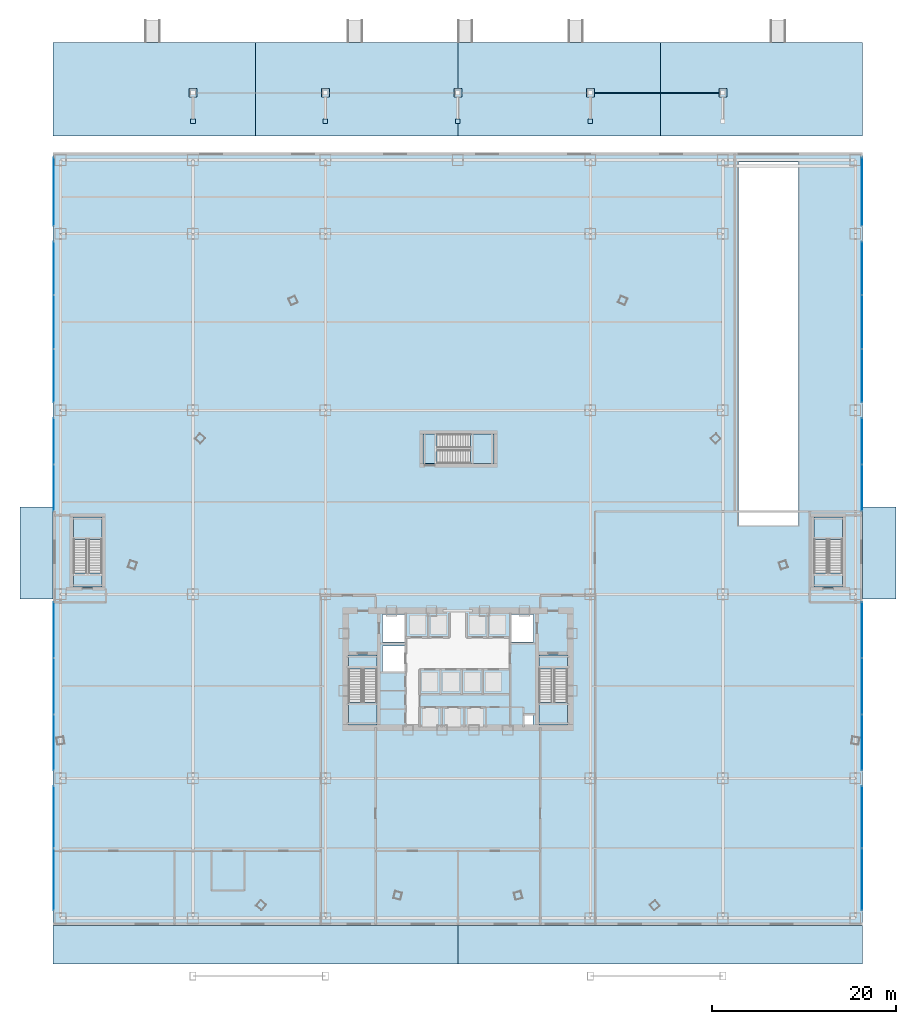
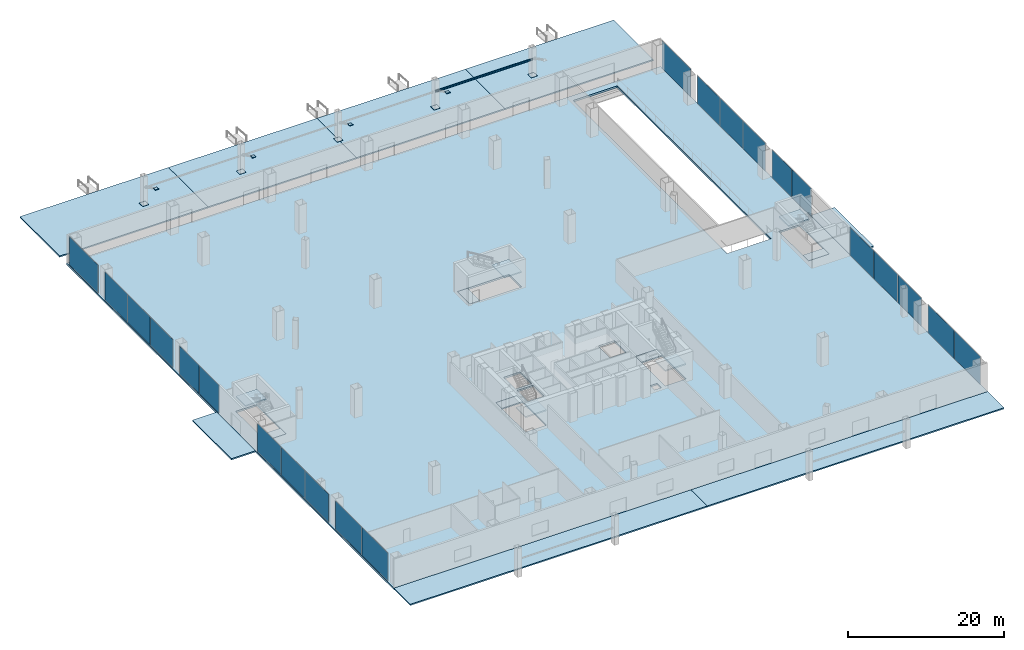
# One storey, part 46 of 58: 31 plates, 19 slabs, 1 beam, 15 elements without a shape of their own.
"""IFC4 building model written with IfcOpenShell, lengths in metres."""

from ifc_helpers import new_model, si_unit, direction, frame, origin, origin_2d, place, context, subcontext, project, spatial, polyline, rectangle, i_section, outline, extrude, source, transform, mapped, material, layer, layer_set, material_profile, profile_set, type_object, element, aggregate, save


model = new_model("IFC4")

# Units and contexts
model_context = context("Model", 3, precision=1e-05, world=origin(), true_north=direction((0.0, 1.0)))
body_context = subcontext(model_context, "Body", "Model", "MODEL_VIEW")
ifc_project = project(units=[si_unit("LENGTHUNIT", "METRE"), si_unit("AREAUNIT", "SQUARE_METRE"), si_unit("VOLUMEUNIT", "CUBIC_METRE"), si_unit("PLANEANGLEUNIT", "RADIAN"), si_unit("MASSUNIT", "GRAM", prefix="KILO"), si_unit("THERMODYNAMICTEMPERATUREUNIT", "KELVIN"), si_unit("POWERUNIT", "WATT")], contexts=[model_context])

# Site, building, storey
site_placement = place(None, origin())
site = spatial("IfcSite", under=ifc_project, at=site_placement, CompositionType="ELEMENT")
building_placement = place(site_placement, origin())
building = spatial("IfcBuilding", under=site, at=building_placement, Name="Yunzhuo Pagoda Commons", CompositionType="ELEMENT")
storey_placement = place(building_placement, origin())
storey = spatial("IfcBuildingStorey", under=building, at=storey_placement, Name="L01", CompositionType="ELEMENT", Elevation=0.0)

# Beam
ifc_material_1 = material(Name="Structural steel Q355B", Category="steel")
ifc_material_profile = material_profile(ifc_material_1, i_section(OverallWidth=0.125, OverallDepth=0.25, WebThickness=0.006103515625, FlangeThickness=0.009033203125, at=origin_2d()), Name="Structural steel Q355B")
ifc_profile_set = profile_set([ifc_material_profile], Name="Structural steel Q355B")
beam_type = type_object("IfcBeamType", Name="B-LN1 Lintel HN 250x125x6x9", PredefinedType="LINTEL", material=ifc_profile_set)
shared_shape_1 = source(origin(), body_context, "Body", "SweptSolid", [
    extrude(i_section(OverallWidth=0.125, OverallDepth=0.25, WebThickness=0.006103515625, FlangeThickness=0.009033203125, at=origin_2d()), origin(), (0.0, 0.0, 1.0), 14.400146484375),
])
beam_placement = place(storey_placement, frame((62.39990234375, 96.5, 2.52490234375), z_axis=(1.0, 0.0, 0.0), x_axis=(0.0, 1.0, 0.0)))
element("IfcBeam", 1, at=beam_placement, inside=storey, type_object=beam_type, Name="Colonnade transom lintel N4", PredefinedType="LINTEL", context=body_context, shape_type="MappedRepresentation", body=[
    mapped(shared_shape_1, transform((0.0, 0.0, 0.0), scale=1.0)),
])

# Stair, slabs
ifc_material_2 = material(Name="Concrete C40", Category="concrete")
stair_type_1 = type_object("IfcStairType", Name="ST-C1 Core Smokeproof Stair ST1", PredefinedType="HALF_TURN_STAIR", material=ifc_material_2)
stair_1_placement = place(storey_placement, origin())
stair_1 = element("IfcStair", 2, at=stair_1_placement, inside=storey, type_object=stair_type_1, Name="L01 Core smokeproof stair ST1", PredefinedType="HALF_TURN_STAIR")
ifc_layer_1 = layer(ifc_material_2, 0.199951171875)
ifc_layer_set_1 = layer_set([ifc_layer_1], Name="Concrete C40")
slab_type_1 = type_object("IfcSlabType", Name="SL-LND1 Stair Landing Slab 200", PredefinedType="LANDING", material=ifc_layer_set_1)
slab_1_placement = place(storey_placement, frame((0.0, 0.0, 2.199951171875)))
slab_1 = element("IfcSlab", 3, at=slab_1_placement, type_object=slab_type_1, Name="ST1 landing 1", PredefinedType="LANDING", context=body_context, shape_type="SweptSolid", body=[
    extrude(outline(polyline([(36.10009765625, 30.260009765625), (36.10009765625, 27.800048828125), (39.199951171875, 27.800048828125), (39.199951171875, 30.260009765625), (36.10009765625, 30.260009765625)])), origin(), (0.0, 0.0, 1.0), 0.199951171875),
])
slab_2_placement = place(storey_placement, frame((0.0, 0.0, -0.199951171875)))
slab_2 = element("IfcSlab", 4, at=slab_2_placement, type_object=slab_type_1, Name="ST1 floor landing L01", PredefinedType="LANDING", context=body_context, shape_type="SweptSolid", body=[
    extrude(outline(polyline([(36.10009765625, 35.39990234375), (36.10009765625, 33.89990234375), (39.199951171875, 33.89990234375), (39.199951171875, 35.39990234375), (36.10009765625, 35.39990234375)])), origin(), (0.0, 0.0, 1.0), 0.199951171875),
])
aggregate(stair_1, [slab_1, slab_2])

stair_type_2 = type_object("IfcStairType", Name="ST-C2 Core Smokeproof Stair ST2", PredefinedType="HALF_TURN_STAIR", material=ifc_material_2)
stair_2_placement = place(storey_placement, origin())
stair_2 = element("IfcStair", 5, at=stair_2_placement, inside=storey, type_object=stair_type_2, Name="L01 Core smokeproof stair ST2", PredefinedType="HALF_TURN_STAIR")
ifc_layer_2 = layer(ifc_material_2, 0.201904296875)
ifc_layer_set_2 = layer_set([ifc_layer_2], Name="Concrete C40")
slab_type_2 = type_object("IfcSlabType", Name="SL-LND2 Stair Landing Slab 202", PredefinedType="LANDING", material=ifc_layer_set_2)
slab_3_placement = place(storey_placement, frame((0.0, 0.0, 2.199951171875)))
slab_3 = element("IfcSlab", 6, at=slab_3_placement, type_object=slab_type_2, Name="ST2 landing 1", PredefinedType="LANDING", context=body_context, shape_type="SweptSolid", body=[
    extrude(outline(polyline([(56.800048828125, 30.260009765625), (56.800048828125, 27.800048828125), (59.89990234375, 27.800048828125), (59.89990234375, 30.260009765625), (56.800048828125, 30.260009765625)])), origin(), (0.0, 0.0, 1.0), 0.199951171875),
])
slab_4_placement = place(storey_placement, frame((0.0, 0.0, -0.199951171875)))
slab_4 = element("IfcSlab", 7, at=slab_4_placement, type_object=slab_type_2, Name="ST2 floor landing L01", PredefinedType="LANDING", context=body_context, shape_type="SweptSolid", body=[
    extrude(outline(polyline([(56.800048828125, 35.39990234375), (56.800048828125, 33.89990234375), (59.89990234375, 33.89990234375), (59.89990234375, 35.39990234375), (56.800048828125, 35.39990234375)])), origin(), (0.0, 0.0, 1.0), 0.199951171875),
])
aggregate(stair_2, [slab_3, slab_4])

stair_type_3 = type_object("IfcStairType", Name="ST-P3 Podium Exit Stair PS3", PredefinedType="HALF_TURN_STAIR", material=ifc_material_2)
stair_3_placement = place(storey_placement, origin())
stair_3 = element("IfcStair", 8, at=stair_3_placement, inside=storey, type_object=stair_type_3, Name="L01 Podium exit stair PS3", PredefinedType="HALF_TURN_STAIR")
ifc_layer_3 = layer(ifc_material_2, 0.2060546875)
ifc_layer_set_3 = layer_set([ifc_layer_3], Name="Concrete C40")
slab_type_3 = type_object("IfcSlabType", Name="SL-LND3 Podium Landing Slab 206", PredefinedType="LANDING", material=ifc_layer_set_3)
slab_5_placement = place(storey_placement, frame((0.0, 0.0, 2.199951171875)))
slab_5 = element("IfcSlab", 9, at=slab_5_placement, type_object=slab_type_3, Name="PS3 landing 1", PredefinedType="LANDING", context=body_context, shape_type="SweptSolid", body=[
    extrude(outline(polyline([(9.300048828125, 47.93994140625), (9.300048828125, 50.39990234375), (6.199951171875, 50.39990234375), (6.199951171875, 47.93994140625), (9.300048828125, 47.93994140625)])), origin(), (0.0, 0.0, 1.0), 0.199951171875),
])
slab_6_placement = place(storey_placement, frame((0.0, 0.0, -0.199951171875)))
slab_6 = element("IfcSlab", 10, at=slab_6_placement, type_object=slab_type_3, Name="PS3 floor landing L01", PredefinedType="LANDING", context=body_context, shape_type="SweptSolid", body=[
    extrude(outline(polyline([(9.300048828125, 42.800048828125), (9.300048828125, 44.300048828125), (6.199951171875, 44.300048828125), (6.199951171875, 42.800048828125), (9.300048828125, 42.800048828125)])), origin(), (0.0, 0.0, 1.0), 0.199951171875),
])
aggregate(stair_3, [slab_5, slab_6])

stair_type_4 = type_object("IfcStairType", Name="ST-P4 Podium Exit Stair PS4", PredefinedType="HALF_TURN_STAIR", material=ifc_material_2)
stair_4_placement = place(storey_placement, origin())
stair_4 = element("IfcStair", 11, at=stair_4_placement, inside=storey, type_object=stair_type_4, Name="L01 Podium exit stair PS4", PredefinedType="HALF_TURN_STAIR")
ifc_layer_4 = layer(ifc_material_2, 0.2080078125)
ifc_layer_set_4 = layer_set([ifc_layer_4], Name="Concrete C40")
slab_type_4 = type_object("IfcSlabType", Name="SL-LND4 Podium Landing Slab 208", PredefinedType="LANDING", material=ifc_layer_set_4)
slab_7_placement = place(storey_placement, frame((0.0, 0.0, 2.199951171875)))
slab_7 = element("IfcSlab", 12, at=slab_7_placement, type_object=slab_type_4, Name="PS4 landing 1", PredefinedType="LANDING", context=body_context, shape_type="SweptSolid", body=[
    extrude(outline(polyline([(89.800048828125, 47.93994140625), (89.800048828125, 50.39990234375), (86.699951171875, 50.39990234375), (86.699951171875, 47.93994140625), (89.800048828125, 47.93994140625)])), origin(), (0.0, 0.0, 1.0), 0.199951171875),
])
slab_8_placement = place(storey_placement, frame((0.0, 0.0, -0.199951171875)))
slab_8 = element("IfcSlab", 13, at=slab_8_placement, type_object=slab_type_4, Name="PS4 floor landing L01", PredefinedType="LANDING", context=body_context, shape_type="SweptSolid", body=[
    extrude(outline(polyline([(89.800048828125, 42.800048828125), (89.800048828125, 44.300048828125), (86.699951171875, 44.300048828125), (86.699951171875, 42.800048828125), (89.800048828125, 42.800048828125)])), origin(), (0.0, 0.0, 1.0), 0.199951171875),
])
aggregate(stair_4, [slab_7, slab_8])

stair_type_5 = type_object("IfcStairType", Name="ST-C3 North Tower Smokeproof Stair ST3", PredefinedType="HALF_TURN_STAIR", material=ifc_material_2)
stair_5_placement = place(storey_placement, origin())
stair_5 = element("IfcStair", 14, at=stair_5_placement, inside=storey, type_object=stair_type_5, Name="L01 North tower smokeproof stair ST3", PredefinedType="HALF_TURN_STAIR")
ifc_layer_5 = layer(ifc_material_2, 0.2041015625)
ifc_layer_set_5 = layer_set([ifc_layer_5], Name="Concrete C40")
slab_type_5 = type_object("IfcSlabType", Name="SL-LND5 North Landing Slab 204", PredefinedType="LANDING", material=ifc_layer_set_5)
slab_9_placement = place(storey_placement, frame((0.0, 0.0, 2.199951171875)))
slab_9 = element("IfcSlab", 15, at=slab_9_placement, type_object=slab_type_5, Name="ST3 landing 1", PredefinedType="LANDING", context=body_context, shape_type="SweptSolid", body=[
    extrude(outline(polyline([(49.389892578125, 56.199951171875), (51.89990234375, 56.199951171875), (51.89990234375, 59.39990234375), (49.389892578125, 59.39990234375), (49.389892578125, 56.199951171875)])), origin(), (0.0, 0.0, 1.0), 0.199951171875),
])
slab_10_placement = place(storey_placement, frame((0.0, 0.0, -0.199951171875)))
slab_10 = element("IfcSlab", 16, at=slab_10_placement, type_object=slab_type_5, Name="ST3 floor landing L01", PredefinedType="LANDING", context=body_context, shape_type="SweptSolid", body=[
    extrude(outline(polyline([(44.199951171875, 56.199951171875), (45.75, 56.199951171875), (45.75, 59.39990234375), (44.199951171875, 59.39990234375), (44.199951171875, 56.199951171875)])), origin(), (0.0, 0.0, 1.0), 0.199951171875),
])
aggregate(stair_5, [slab_9, slab_10])

# Slabs
ifc_material_3 = material(Name="Granite stone on Concrete C40", Category="masonry")
ifc_layer_6 = layer(ifc_material_3, 0.199951171875)
ifc_layer_set_6 = layer_set([ifc_layer_6], Name="Granite stone on Concrete C40")
slab_type_6 = type_object("IfcSlabType", Name="SL-PAV Waterfront Promenade Paving 200", PredefinedType="USERDEFINED", material=ifc_layer_set_6)
slab_11_placement = place(storey_placement, frame((0.0, 0.0, -0.199951171875)))
element("IfcSlab", 17, at=slab_11_placement, inside=storey, type_object=slab_type_6, Name="Waterfront promenade plaza paving N1", ObjectType="PAVING", PredefinedType="USERDEFINED", context=body_context, shape_type="SweptSolid", body=[
    extrude(outline(polyline([(4.0, 91.800048828125), (26.0, 91.800048828125), (26.0, 102.0), (4.0, 102.0), (4.0, 91.800048828125)])), origin(), (0.0, 0.0, 1.0), 0.199951171875),
])
slab_12_placement = place(storey_placement, frame((0.0, 0.0, -0.199951171875)))
element("IfcSlab", 18, at=slab_12_placement, inside=storey, type_object=slab_type_6, Name="Waterfront promenade plaza paving N2", ObjectType="PAVING", PredefinedType="USERDEFINED", context=body_context, shape_type="SweptSolid", body=[
    extrude(outline(polyline([(26.0, 91.800048828125), (48.0, 91.800048828125), (48.0, 102.0), (26.0, 102.0), (26.0, 91.800048828125)])), origin(), (0.0, 0.0, 1.0), 0.199951171875),
])
slab_13_placement = place(storey_placement, frame((0.0, 0.0, -0.199951171875)))
element("IfcSlab", 19, at=slab_13_placement, inside=storey, type_object=slab_type_6, Name="Waterfront promenade plaza paving N3", ObjectType="PAVING", PredefinedType="USERDEFINED", context=body_context, shape_type="SweptSolid", body=[
    extrude(outline(polyline([(48.0, 91.800048828125), (70.0, 91.800048828125), (70.0, 102.0), (48.0, 102.0), (48.0, 91.800048828125)])), origin(), (0.0, 0.0, 1.0), 0.199951171875),
])
slab_14_placement = place(storey_placement, frame((0.0, 0.0, -0.199951171875)))
element("IfcSlab", 20, at=slab_14_placement, inside=storey, type_object=slab_type_6, Name="Waterfront promenade plaza paving N4", ObjectType="PAVING", PredefinedType="USERDEFINED", context=body_context, shape_type="SweptSolid", body=[
    extrude(outline(polyline([(70.0, 91.800048828125), (92.0, 91.800048828125), (92.0, 102.0), (70.0, 102.0), (70.0, 91.800048828125)])), origin(), (0.0, 0.0, 1.0), 0.199951171875),
])
slab_15_placement = place(storey_placement, frame((0.0, 0.0, -0.199951171875)))
element("IfcSlab", 21, at=slab_15_placement, inside=storey, type_object=slab_type_6, Name="South entrance forecourt paving S1", ObjectType="PAVING", PredefinedType="USERDEFINED", context=body_context, shape_type="SweptSolid", body=[
    extrude(outline(polyline([(4.0, 1.800048828125), (48.0, 1.800048828125), (48.0, 6.0), (4.0, 6.0), (4.0, 1.800048828125)])), origin(), (0.0, 0.0, 1.0), 0.199951171875),
])
slab_16_placement = place(storey_placement, frame((0.0, 0.0, -0.199951171875)))
element("IfcSlab", 22, at=slab_16_placement, inside=storey, type_object=slab_type_6, Name="South entrance forecourt paving S2", ObjectType="PAVING", PredefinedType="USERDEFINED", context=body_context, shape_type="SweptSolid", body=[
    extrude(outline(polyline([(48.0, 1.800048828125), (92.0, 1.800048828125), (92.0, 6.0), (48.0, 6.0), (48.0, 1.800048828125)])), origin(), (0.0, 0.0, 1.0), 0.199951171875),
])
slab_17_placement = place(storey_placement, frame((0.0, 0.0, -0.199951171875)))
element("IfcSlab", 23, at=slab_17_placement, inside=storey, type_object=slab_type_6, Name="W stair exit plaza paving", ObjectType="PAVING", PredefinedType="USERDEFINED", context=body_context, shape_type="SweptSolid", body=[
    extrude(outline(polyline([(0.39990234375, 41.5), (4.0, 41.5), (4.0, 51.5), (0.39990234375, 51.5), (0.39990234375, 41.5)])), origin(), (0.0, 0.0, 1.0), 0.199951171875),
])
slab_18_placement = place(storey_placement, frame((0.0, 0.0, -0.199951171875)))
element("IfcSlab", 24, at=slab_18_placement, inside=storey, type_object=slab_type_6, Name="E stair exit plaza paving", ObjectType="PAVING", PredefinedType="USERDEFINED", context=body_context, shape_type="SweptSolid", body=[
    extrude(outline(polyline([(92.0, 41.5), (95.60009765625, 41.5), (95.60009765625, 51.5), (92.0, 51.5), (92.0, 41.5)])), origin(), (0.0, 0.0, 1.0), 0.199951171875),
])
ifc_layer_7 = layer(ifc_material_2, 0.280029296875)
ifc_layer_set_7 = layer_set([ifc_layer_7], Name="Concrete C40")
slab_type_7 = type_object("IfcSlabType", Name="SL-POD Podium & Refuge Floor Slab 280", PredefinedType="FLOOR", material=ifc_layer_set_7)
slab_19_placement = place(storey_placement, frame((0.0, 0.0, -0.280029296875)))
element("IfcSlab", 25, at=slab_19_placement, inside=storey, type_object=slab_type_7, Name="L01 structural floor slab", PredefinedType="FLOOR", context=body_context, shape_type="SweptSolid", body=[
    extrude(outline(polyline([(4.0, 90.0), (92.0, 90.0), (92.0, 6.0), (4.0, 6.0), (4.0, 90.0)]), holes=[polyline([(56.179931640625, 28.800048828125), (55.179931640625, 28.800048828125), (55.179931640625, 27.699951171875), (56.179931640625, 27.699951171875), (56.179931640625, 28.800048828125)]), polyline([(39.199951171875, 27.800048828125), (39.199951171875, 35.39990234375), (36.10009765625, 35.39990234375), (36.10009765625, 27.800048828125), (39.199951171875, 27.800048828125)]), polyline([(59.89990234375, 27.800048828125), (59.89990234375, 35.39990234375), (56.800048828125, 35.39990234375), (56.800048828125, 27.800048828125), (59.89990234375, 27.800048828125)]), polyline([(42.199951171875, 33.60009765625), (42.199951171875, 36.39990234375), (39.800048828125, 36.39990234375), (39.800048828125, 33.60009765625), (42.199951171875, 33.60009765625)]), polyline([(42.199951171875, 36.800048828125), (42.199951171875, 39.800048828125), (39.800048828125, 39.800048828125), (39.800048828125, 36.800048828125), (42.199951171875, 36.800048828125)]), polyline([(56.199951171875, 39.800048828125), (53.800048828125, 39.800048828125), (53.800048828125, 36.800048828125), (56.199951171875, 36.800048828125), (56.199951171875, 39.800048828125)]), polyline([(6.199951171875, 50.39990234375), (6.199951171875, 42.800048828125), (9.300048828125, 42.800048828125), (9.300048828125, 50.39990234375), (6.199951171875, 50.39990234375)]), polyline([(86.699951171875, 50.39990234375), (86.699951171875, 42.800048828125), (89.800048828125, 42.800048828125), (89.800048828125, 50.39990234375), (86.699951171875, 50.39990234375)]), polyline([(51.89990234375, 56.199951171875), (51.89990234375, 59.39990234375), (44.199951171875, 59.39990234375), (44.199951171875, 56.199951171875), (51.89990234375, 56.199951171875)]), polyline([(85.0, 49.5), (85.0, 89.0), (78.5, 89.0), (78.5, 49.5), (85.0, 49.5)])]), origin(), (0.0, 0.0, 1.0), 0.280029296875),
])

# Plates
ifc_layer_8 = layer(ifc_material_1, 0.0400390625)
ifc_layer_set_8 = layer_set([ifc_layer_8], Name="Structural steel Q355B")
plate_type_1 = type_object("IfcPlateType", Name="BP-C1 Canopy Base Plate 900x900x40", PredefinedType="USERDEFINED", material=ifc_layer_set_8)
shared_shape_2 = source(origin(), body_context, "Body", "SweptSolid", [
    extrude(rectangle(XDim=0.89990234375, YDim=0.89990234375, at=origin_2d()), origin(), (0.0, 0.0, 1.0), 0.0400390625),
])
for number, where, z_axis, x_axis, name in (
    (26, (19.199951171875, 96.5, -0.02001953125), (0.0, 0.0, 1.0), (1.0, 0.0, 0.0), "Canopy column base plate N1"),
    (27, (33.60009765625, 96.5, -0.02001953125), (0.0, 0.0, 1.0), (1.0, 0.0, 0.0), "Canopy column base plate N2"),
    (28, (48.0, 96.5, -0.02001953125), (0.0, 0.0, 1.0), (1.0, 0.0, 0.0), "Canopy column base plate N3"),
    (29, (62.39990234375, 96.5, -0.02001953125), (0.0, 0.0, 1.0), (1.0, 0.0, 0.0), "Canopy column base plate N4"),
    (30, (76.800048828125, 96.5, -0.02001953125), (0.0, 0.0, 1.0), (1.0, 0.0, 0.0), "Canopy column base plate N5"),
):
    element("IfcPlate", number, at=place(storey_placement, frame(where, z_axis=z_axis, x_axis=x_axis)), inside=storey, type_object=plate_type_1, Name=name, ObjectType="BASE_PLATE", PredefinedType="USERDEFINED", context=body_context, shape_type="MappedRepresentation", body=[
        mapped(shared_shape_2, transform((0.0, 0.0, 0.0), scale=1.0)),
    ])
ifc_layer_9 = layer(ifc_material_1, 0.028076171875)
ifc_layer_set_9 = layer_set([ifc_layer_9], Name="Structural steel Q355B")
plate_type_2 = type_object("IfcPlateType", Name="SP-ND1 Lattice Node Cap Plate 800x500x28", PredefinedType="USERDEFINED", material=ifc_layer_set_9)
shared_shape_3 = source(origin(), body_context, "Body", "SweptSolid", [
    extrude(rectangle(XDim=0.5, YDim=0.5, at=origin_2d()), origin(), (0.0, 0.0, 1.0), 0.028076171875),
])
for number, where, z_axis, x_axis, name in (
    (31, (19.199951171875, 93.39990234375, 4.26611328125), (0.0, 0.0, 1.0), (1.0, 0.0, 0.0), "Canopy strut girder gusset plate N1B"),
    (32, (33.60009765625, 93.39990234375, 4.26611328125), (0.0, 0.0, 1.0), (1.0, 0.0, 0.0), "Canopy strut girder gusset plate N2B"),
    (33, (48.0, 93.39990234375, 4.26611328125), (0.0, 0.0, 1.0), (1.0, 0.0, 0.0), "Canopy strut girder gusset plate N3B"),
    (34, (62.39990234375, 93.39990234375, 4.26611328125), (0.0, 0.0, 1.0), (1.0, 0.0, 0.0), "Canopy strut girder gusset plate N4B"),
):
    element("IfcPlate", number, at=place(storey_placement, frame(where, z_axis=z_axis, x_axis=x_axis)), inside=storey, type_object=plate_type_2, Name=name, ObjectType="STIFFENER_PLATE", PredefinedType="USERDEFINED", context=body_context, shape_type="MappedRepresentation", body=[
        mapped(shared_shape_3, transform((0.0, 0.0, 0.0), scale=1.0)),
    ])

# Curtain wall, plates
ifc_material_4 = material(Name="Anodized aluminium 6063-T6", Category="aluminium")
ifc_layer_10 = layer(ifc_material_4, 0.179931640625)
ifc_layer_set_10 = layer_set([ifc_layer_10], Name="Anodized aluminium 6063-T6")
curtain_wall_type = type_object("IfcCurtainWallType", Name="CW-POD Waterfront Podium Curtain Wall", PredefinedType="NOTDEFINED", material=ifc_layer_set_10)
curtain_wall_1_placement = place(storey_placement, origin())
curtain_wall_1 = element("IfcCurtainWall", 35, at=curtain_wall_1_placement, inside=storey, type_object=curtain_wall_type, Name="L01 curtain wall CW-L01-W1", PredefinedType="NOTDEFINED")
ifc_material_5 = material(Name="Tempered low-e double glazing", Category="glass")
ifc_layer_11 = layer(ifc_material_5, 0.031982421875)
ifc_layer_set_11 = layer_set([ifc_layer_11], Name="Tempered low-e double glazing")
plate_type_3 = type_object("IfcPlateType", Name="CW-POD-P Low-E Double Glazing 32", PredefinedType="CURTAIN_PANEL", material=ifc_layer_set_11)
shared_shape_4 = source(origin(), body_context, "Body", "SweptSolid", [
    extrude(rectangle(XDim=6.702392578125, YDim=0.028076171875, at=origin_2d()), origin(), (0.0, 0.0, 1.0), 4.39990234375),
])
plate_1_placement = place(storey_placement, frame((4.080078125, 11.016357421875, 0.06005859375), z_axis=(0.0, 0.0, 1.0), x_axis=(0.0, 1.0, 0.0)))
plate_1 = element("IfcPlate", 36, at=plate_1_placement, type_object=plate_type_3, Name="CW panel 1.1", PredefinedType="CURTAIN_PANEL", context=body_context, shape_type="MappedRepresentation", body=[
    mapped(shared_shape_4, transform((0.0, 0.0, 0.0), scale=1.0)),
])
plate_2_placement = place(storey_placement, frame((4.080078125, 17.78369140625, 0.06005859375), z_axis=(0.0, 0.0, 1.0), x_axis=(0.0, 1.0, 0.0)))
plate_2 = element("IfcPlate", 37, at=plate_2_placement, type_object=plate_type_3, Name="CW panel 2.1", PredefinedType="CURTAIN_PANEL", context=body_context, shape_type="MappedRepresentation", body=[
    mapped(shared_shape_4, transform((0.0, 0.0, 0.0), scale=1.0)),
])
aggregate(curtain_wall_1, [plate_1, plate_2])

curtain_wall_2_placement = place(storey_placement, origin())
curtain_wall_2 = element("IfcCurtainWall", 38, at=curtain_wall_2_placement, inside=storey, type_object=curtain_wall_type, Name="L01 curtain wall CW-L01-E1", PredefinedType="NOTDEFINED")
plate_3_placement = place(storey_placement, frame((91.919921875, 11.016357421875, 0.06005859375), z_axis=(0.0, 0.0, 1.0), x_axis=(0.0, 1.0, 0.0)))
plate_3 = element("IfcPlate", 39, at=plate_3_placement, type_object=plate_type_3, Name="CW panel 1.1", PredefinedType="CURTAIN_PANEL", context=body_context, shape_type="MappedRepresentation", body=[
    mapped(shared_shape_4, transform((0.0, 0.0, 0.0), scale=1.0)),
])
plate_4_placement = place(storey_placement, frame((91.919921875, 17.78369140625, 0.06005859375), z_axis=(0.0, 0.0, 1.0), x_axis=(0.0, 1.0, 0.0)))
plate_4 = element("IfcPlate", 40, at=plate_4_placement, type_object=plate_type_3, Name="CW panel 2.1", PredefinedType="CURTAIN_PANEL", context=body_context, shape_type="MappedRepresentation", body=[
    mapped(shared_shape_4, transform((0.0, 0.0, 0.0), scale=1.0)),
])
aggregate(curtain_wall_2, [plate_3, plate_4])

curtain_wall_3_placement = place(storey_placement, origin())
curtain_wall_3 = element("IfcCurtainWall", 41, at=curtain_wall_3_placement, inside=storey, type_object=curtain_wall_type, Name="L01 curtain wall CW-L01-W2", PredefinedType="NOTDEFINED")
shared_shape_5 = source(origin(), body_context, "Body", "SweptSolid", [
    extrude(rectangle(XDim=6.035888671875, YDim=0.028076171875, at=origin_2d()), origin(), (0.0, 0.0, 1.0), 4.39990234375),
])
plate_5_placement = place(storey_placement, frame((4.080078125, 25.8828125, 0.06005859375), z_axis=(0.0, 0.0, 1.0), x_axis=(0.0, 1.0, 0.0)))
plate_5 = element("IfcPlate", 42, at=plate_5_placement, type_object=plate_type_3, Name="CW panel 1.1", PredefinedType="CURTAIN_PANEL", context=body_context, shape_type="MappedRepresentation", body=[
    mapped(shared_shape_5, transform((0.0, 0.0, 0.0), scale=1.0)),
])
plate_6_placement = place(storey_placement, frame((4.080078125, 38.1171875, 0.06005859375), z_axis=(0.0, 0.0, 1.0), x_axis=(0.0, 1.0, 0.0)))
plate_6 = element("IfcPlate", 43, at=plate_6_placement, type_object=plate_type_3, Name="CW panel 3.1", PredefinedType="CURTAIN_PANEL", context=body_context, shape_type="MappedRepresentation", body=[
    mapped(shared_shape_5, transform((0.0, 0.0, 0.0), scale=1.0)),
])

curtain_wall_4_placement = place(storey_placement, origin())
curtain_wall_4 = element("IfcCurtainWall", 44, at=curtain_wall_4_placement, inside=storey, type_object=curtain_wall_type, Name="L01 curtain wall CW-L01-E2", PredefinedType="NOTDEFINED")
plate_7_placement = place(storey_placement, frame((91.919921875, 25.8828125, 0.06005859375), z_axis=(0.0, 0.0, 1.0), x_axis=(0.0, 1.0, 0.0)))
plate_7 = element("IfcPlate", 45, at=plate_7_placement, type_object=plate_type_3, Name="CW panel 1.1", PredefinedType="CURTAIN_PANEL", context=body_context, shape_type="MappedRepresentation", body=[
    mapped(shared_shape_5, transform((0.0, 0.0, 0.0), scale=1.0)),
])
plate_8_placement = place(storey_placement, frame((91.919921875, 38.1171875, 0.06005859375), z_axis=(0.0, 0.0, 1.0), x_axis=(0.0, 1.0, 0.0)))
plate_8 = element("IfcPlate", 46, at=plate_8_placement, type_object=plate_type_3, Name="CW panel 3.1", PredefinedType="CURTAIN_PANEL", context=body_context, shape_type="MappedRepresentation", body=[
    mapped(shared_shape_5, transform((0.0, 0.0, 0.0), scale=1.0)),
])

# Plate
shared_shape_6 = source(origin(), body_context, "Body", "SweptSolid", [
    extrude(rectangle(XDim=6.068359375, YDim=0.028076171875, at=origin_2d()), origin(), (0.0, 0.0, 1.0), 4.39990234375),
])
plate_9_placement = place(storey_placement, frame((4.080078125, 32.0, 0.06005859375), z_axis=(0.0, 0.0, 1.0), x_axis=(0.0, 1.0, 0.0)))
plate_9 = element("IfcPlate", 47, at=plate_9_placement, type_object=plate_type_3, Name="CW panel 2.1", PredefinedType="CURTAIN_PANEL", context=body_context, shape_type="MappedRepresentation", body=[
    mapped(shared_shape_6, transform((0.0, 0.0, 0.0), scale=1.0)),
])

aggregate(curtain_wall_3, [plate_5, plate_9, plate_6])

plate_10_placement = place(storey_placement, frame((91.919921875, 32.0, 0.06005859375), z_axis=(0.0, 0.0, 1.0), x_axis=(0.0, 1.0, 0.0)))
plate_10 = element("IfcPlate", 48, at=plate_10_placement, type_object=plate_type_3, Name="CW panel 2.1", PredefinedType="CURTAIN_PANEL", context=body_context, shape_type="MappedRepresentation", body=[
    mapped(shared_shape_6, transform((0.0, 0.0, 0.0), scale=1.0)),
])

aggregate(curtain_wall_4, [plate_7, plate_10, plate_8])

# Curtain wall, plates
curtain_wall_5_placement = place(storey_placement, origin())
curtain_wall_5 = element("IfcCurtainWall", 49, at=curtain_wall_5_placement, inside=storey, type_object=curtain_wall_type, Name="L01 curtain wall CW-L01-W3", PredefinedType="NOTDEFINED")
shared_shape_7 = source(origin(), body_context, "Body", "SweptSolid", [
    extrude(rectangle(XDim=5.00244140625, YDim=0.028076171875, at=origin_2d()), origin(), (0.0, 0.0, 1.0), 4.39990234375),
])
plate_11_placement = place(storey_placement, frame((4.080078125, 53.566162109375, 0.06005859375), z_axis=(0.0, 0.0, 1.0), x_axis=(0.0, 1.0, 0.0)))
plate_11 = element("IfcPlate", 50, at=plate_11_placement, type_object=plate_type_3, Name="CW panel 1.1", PredefinedType="CURTAIN_PANEL", context=body_context, shape_type="MappedRepresentation", body=[
    mapped(shared_shape_7, transform((0.0, 0.0, 0.0), scale=1.0)),
])
plate_12_placement = place(storey_placement, frame((4.080078125, 58.6337890625, 0.06005859375), z_axis=(0.0, 0.0, 1.0), x_axis=(0.0, 1.0, 0.0)))
plate_12 = element("IfcPlate", 51, at=plate_12_placement, type_object=plate_type_3, Name="CW panel 2.1", PredefinedType="CURTAIN_PANEL", context=body_context, shape_type="MappedRepresentation", body=[
    mapped(shared_shape_7, transform((0.0, 0.0, 0.0), scale=1.0)),
])
aggregate(curtain_wall_5, [plate_11, plate_12])

curtain_wall_6_placement = place(storey_placement, origin())
curtain_wall_6 = element("IfcCurtainWall", 52, at=curtain_wall_6_placement, inside=storey, type_object=curtain_wall_type, Name="L01 curtain wall CW-L01-E3", PredefinedType="NOTDEFINED")
plate_13_placement = place(storey_placement, frame((91.919921875, 53.566162109375, 0.06005859375), z_axis=(0.0, 0.0, 1.0), x_axis=(0.0, 1.0, 0.0)))
plate_13 = element("IfcPlate", 53, at=plate_13_placement, type_object=plate_type_3, Name="CW panel 1.1", PredefinedType="CURTAIN_PANEL", context=body_context, shape_type="MappedRepresentation", body=[
    mapped(shared_shape_7, transform((0.0, 0.0, 0.0), scale=1.0)),
])
plate_14_placement = place(storey_placement, frame((91.919921875, 58.6337890625, 0.06005859375), z_axis=(0.0, 0.0, 1.0), x_axis=(0.0, 1.0, 0.0)))
plate_14 = element("IfcPlate", 54, at=plate_14_placement, type_object=plate_type_3, Name="CW panel 2.1", PredefinedType="CURTAIN_PANEL", context=body_context, shape_type="MappedRepresentation", body=[
    mapped(shared_shape_7, transform((0.0, 0.0, 0.0), scale=1.0)),
])
aggregate(curtain_wall_6, [plate_13, plate_14])

curtain_wall_7_placement = place(storey_placement, origin())
curtain_wall_7 = element("IfcCurtainWall", 55, at=curtain_wall_7_placement, inside=storey, type_object=curtain_wall_type, Name="L01 curtain wall CW-L01-W4", PredefinedType="NOTDEFINED")
shared_shape_8 = source(origin(), body_context, "Body", "SweptSolid", [
    extrude(rectangle(XDim=5.769287109375, YDim=0.028076171875, at=origin_2d()), origin(), (0.0, 0.0, 1.0), 4.39990234375),
])
plate_15_placement = place(storey_placement, frame((4.080078125, 65.74951171875, 0.06005859375), z_axis=(0.0, 0.0, 1.0), x_axis=(0.0, 1.0, 0.0)))
plate_15 = element("IfcPlate", 56, at=plate_15_placement, type_object=plate_type_3, Name="CW panel 1.1", PredefinedType="CURTAIN_PANEL", context=body_context, shape_type="MappedRepresentation", body=[
    mapped(shared_shape_8, transform((0.0, 0.0, 0.0), scale=1.0)),
])
plate_16_placement = place(storey_placement, frame((4.080078125, 77.450439453125, 0.06005859375), z_axis=(0.0, 0.0, 1.0), x_axis=(0.0, 1.0, 0.0)))
plate_16 = element("IfcPlate", 57, at=plate_16_placement, type_object=plate_type_3, Name="CW panel 3.1", PredefinedType="CURTAIN_PANEL", context=body_context, shape_type="MappedRepresentation", body=[
    mapped(shared_shape_8, transform((0.0, 0.0, 0.0), scale=1.0)),
])

curtain_wall_8_placement = place(storey_placement, origin())
curtain_wall_8 = element("IfcCurtainWall", 58, at=curtain_wall_8_placement, inside=storey, type_object=curtain_wall_type, Name="L01 curtain wall CW-L01-E4", PredefinedType="NOTDEFINED")
plate_17_placement = place(storey_placement, frame((91.919921875, 65.74951171875, 0.06005859375), z_axis=(0.0, 0.0, 1.0), x_axis=(0.0, 1.0, 0.0)))
plate_17 = element("IfcPlate", 59, at=plate_17_placement, type_object=plate_type_3, Name="CW panel 1.1", PredefinedType="CURTAIN_PANEL", context=body_context, shape_type="MappedRepresentation", body=[
    mapped(shared_shape_8, transform((0.0, 0.0, 0.0), scale=1.0)),
])
plate_18_placement = place(storey_placement, frame((91.919921875, 77.450439453125, 0.06005859375), z_axis=(0.0, 0.0, 1.0), x_axis=(0.0, 1.0, 0.0)))
plate_18 = element("IfcPlate", 60, at=plate_18_placement, type_object=plate_type_3, Name="CW panel 3.1", PredefinedType="CURTAIN_PANEL", context=body_context, shape_type="MappedRepresentation", body=[
    mapped(shared_shape_8, transform((0.0, 0.0, 0.0), scale=1.0)),
])

# Plate
shared_shape_9 = source(origin(), body_context, "Body", "SweptSolid", [
    extrude(rectangle(XDim=5.8017578125, YDim=0.028076171875, at=origin_2d()), origin(), (0.0, 0.0, 1.0), 4.39990234375),
])
plate_19_placement = place(storey_placement, frame((4.080078125, 71.60009765625, 0.06005859375), z_axis=(0.0, 0.0, 1.0), x_axis=(0.0, 1.0, 0.0)))
plate_19 = element("IfcPlate", 61, at=plate_19_placement, type_object=plate_type_3, Name="CW panel 2.1", PredefinedType="CURTAIN_PANEL", context=body_context, shape_type="MappedRepresentation", body=[
    mapped(shared_shape_9, transform((0.0, 0.0, 0.0), scale=1.0)),
])

aggregate(curtain_wall_7, [plate_15, plate_19, plate_16])

plate_20_placement = place(storey_placement, frame((91.919921875, 71.60009765625, 0.06005859375), z_axis=(0.0, 0.0, 1.0), x_axis=(0.0, 1.0, 0.0)))
plate_20 = element("IfcPlate", 62, at=plate_20_placement, type_object=plate_type_3, Name="CW panel 2.1", PredefinedType="CURTAIN_PANEL", context=body_context, shape_type="MappedRepresentation", body=[
    mapped(shared_shape_9, transform((0.0, 0.0, 0.0), scale=1.0)),
])

aggregate(curtain_wall_8, [plate_17, plate_20, plate_18])

# Curtain wall, plate
curtain_wall_9_placement = place(storey_placement, origin())
curtain_wall_9 = element("IfcCurtainWall", 63, at=curtain_wall_9_placement, inside=storey, type_object=curtain_wall_type, Name="L01 curtain wall CW-L01-W5", PredefinedType="NOTDEFINED")
shared_shape_10 = source(origin(), body_context, "Body", "SweptSolid", [
    extrude(rectangle(XDim=7.3701171875, YDim=0.028076171875, at=origin_2d()), origin(), (0.0, 0.0, 1.0), 4.39990234375),
])
plate_21_placement = place(storey_placement, frame((4.080078125, 85.75, 0.06005859375), z_axis=(0.0, 0.0, 1.0), x_axis=(0.0, 1.0, 0.0)))
plate_21 = element("IfcPlate", 64, at=plate_21_placement, type_object=plate_type_3, Name="CW panel 1.1", PredefinedType="CURTAIN_PANEL", context=body_context, shape_type="MappedRepresentation", body=[
    mapped(shared_shape_10, transform((0.0, 0.0, 0.0), scale=1.0)),
])
aggregate(curtain_wall_9, [plate_21])

curtain_wall_10_placement = place(storey_placement, origin())
curtain_wall_10 = element("IfcCurtainWall", 65, at=curtain_wall_10_placement, inside=storey, type_object=curtain_wall_type, Name="L01 curtain wall CW-L01-E5", PredefinedType="NOTDEFINED")
plate_22_placement = place(storey_placement, frame((91.919921875, 85.75, 0.06005859375), z_axis=(0.0, 0.0, 1.0), x_axis=(0.0, 1.0, 0.0)))
plate_22 = element("IfcPlate", 66, at=plate_22_placement, type_object=plate_type_3, Name="CW panel 1.1", PredefinedType="CURTAIN_PANEL", context=body_context, shape_type="MappedRepresentation", body=[
    mapped(shared_shape_10, transform((0.0, 0.0, 0.0), scale=1.0)),
])
aggregate(curtain_wall_10, [plate_22])

save(model, "model.ifc")
